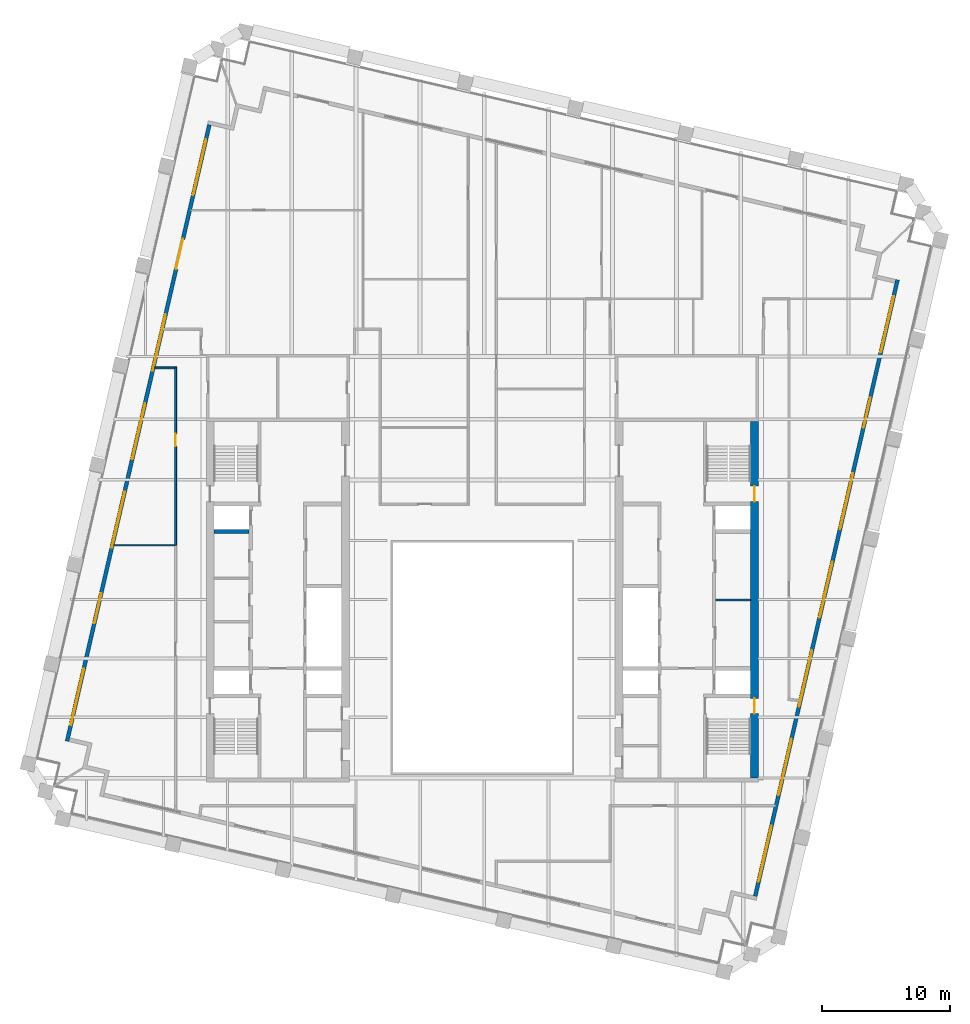
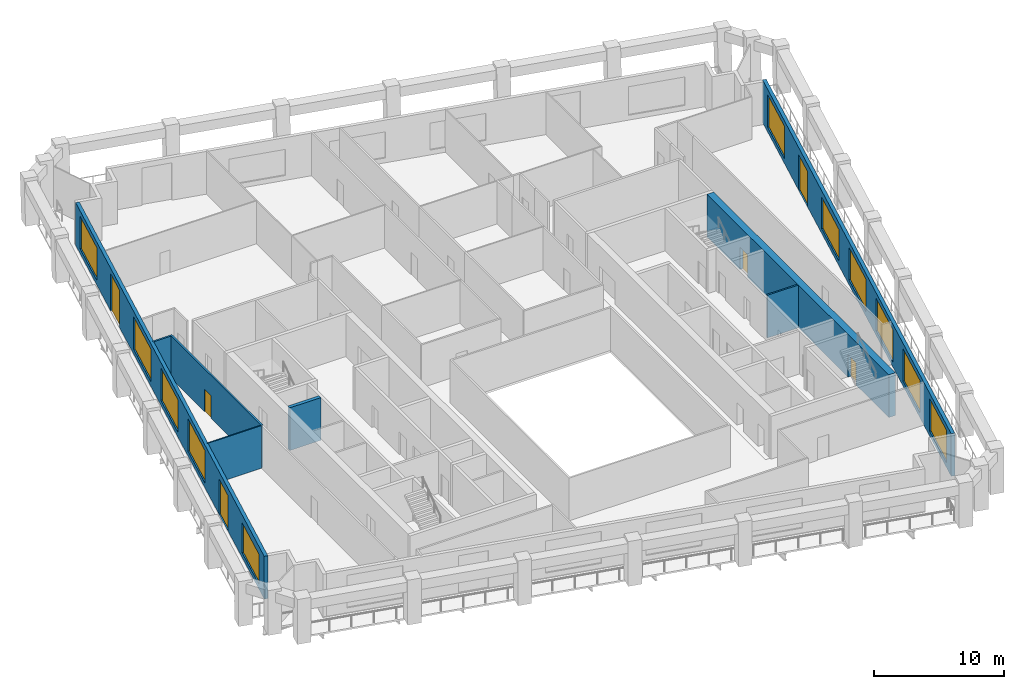
# One storey, part 6 of 10: 11 windows, 8 walls, 6 doors, 17 openings.
"""IFC4 building model written with IfcOpenShell, lengths in metres."""

from ifc_helpers import new_model, si_unit, direction, frame, frame_2d, origin, place, context, subcontext, project, spatial, rectangle, extrude, material, layer, layer_set, type_object, element, fill, save


model = new_model("IFC4")

# Units and contexts
model_context = context("Model", 3, precision=1e-05, world=origin(), true_north=direction((0.0, 1.0)))
body_context = subcontext(model_context, "Body", "Model", "MODEL_VIEW")
ifc_project = project(units=[si_unit("LENGTHUNIT", "METRE"), si_unit("AREAUNIT", "SQUARE_METRE"), si_unit("VOLUMEUNIT", "CUBIC_METRE"), si_unit("PLANEANGLEUNIT", "RADIAN"), si_unit("MASSUNIT", "GRAM", prefix="KILO")], contexts=[model_context])

# Site, building, storey
site_placement = place(None, origin())
site = spatial("IfcSite", under=ifc_project, at=site_placement, CompositionType="ELEMENT")
building_placement = place(site_placement, origin())
building = spatial("IfcBuilding", under=site, at=building_placement, Name="Ogive Exchange Tower", CompositionType="ELEMENT")
storey_placement = place(building_placement, frame((0.0, 0.0, 251.39990234375)))
storey = spatial("IfcBuildingStorey", under=building, at=storey_placement, Name="L54", CompositionType="ELEMENT", Elevation=251.39990234375)

# Wall
ifc_material_1 = material(Name="Gypsum board partition")
ifc_layer_1 = layer(ifc_material_1, 0.14990234375)
ifc_layer_set_1 = layer_set([ifc_layer_1], Name="Core room partition 150 gypsum")
wall_type_1 = type_object("IfcWallType", Name="Core room partition 150 gypsum", PredefinedType="PARTITIONING", material=ifc_layer_set_1)
wall_1_placement = place(storey_placement, frame((18.25, 11.5, 0.0), z_axis=(0.0, 0.0, 1.0), x_axis=(1.0, 0.0, 0.0)))
element("IfcWall", 1, at=wall_1_placement, inside=storey, type_object=wall_type_1, Name="E row A bay partition 1-1", PredefinedType="PARTITIONING", context=body_context, shape_type="SweptSolid", body=[
    extrude(rectangle(XDim=2.75, YDim=0.14990234375, at=frame_2d((1.375, 0.0))), origin(), (0.0, 0.0, 1.0), 4.0),
])

# Wall, opening, door
ifc_material_2 = material(Name="Fire partition EI 60 150")
ifc_layer_2 = layer(ifc_material_2, 0.14990234375)
ifc_layer_set_2 = layer_set([ifc_layer_2], Name="Fire partition EI 60 150")
wall_type_2 = type_object("IfcWallType", Name="Fire partition EI 60 150", PredefinedType="PARTITIONING", material=ifc_layer_set_2)
wall_2_placement = place(storey_placement, frame((-24.0, 15.7900390625, 0.0), z_axis=(0.0, 0.0, 1.0), x_axis=(0.0, 1.0, 0.0)))
wall_2 = element("IfcWall", 2, at=wall_2_placement, inside=storey, type_object=wall_type_2, Name="L54-PWL-004", PredefinedType="PARTITIONING", context=body_context, shape_type="SweptSolid", body=[
    extrude(rectangle(XDim=13.945068359375, YDim=0.14990234375, at=frame_2d((6.97265625, 0.0))), origin(), (0.0, 0.0, 1.0), 4.0),
])
opening_1_placement = place(wall_2_placement, frame((7.719970703125, 0.0, 0.0)))
opening_1 = element("IfcOpeningElement", 3, at=opening_1_placement, cuts=wall_2, Name="Opening L54-I04", PredefinedType="OPENING", context=body_context, shape_type="SweptSolid", body=[
    extrude(rectangle(XDim=1.0, YDim=2.10009765625, at=frame_2d((0.5, 1.050048828125))), frame((0.0, 0.0849609375, 0.0), z_axis=(0.0, -1.0, 0.0), x_axis=(1.0, 0.0, 0.0)), (0.0, 0.0, 1.0), 0.169921875),
])
ifc_material_3 = material(Name="Fire door FD 30S 1000 x 2100")
door_type_1 = type_object("IfcDoorType", Name="Fire door FD 30S 1000 x 2100", OperationType="NOTDEFINED", PredefinedType="DOOR", material=ifc_material_3)
door_1_placement = place(opening_1_placement, origin())
door_1 = element("IfcDoor", 4, at=door_1_placement, inside=storey, type_object=door_type_1, Name="L54-IDR-004", ObjectType="DT3", OperationType="SINGLE_SWING_LEFT", OverallHeight=2.10009765625, OverallWidth=1.0, PredefinedType="DOOR", context=body_context, shape_type="SweptSolid", body=[
    extrude(rectangle(XDim=1.0, YDim=2.10009765625, at=frame_2d((0.5, 1.050048828125))), frame((0.0, 0.02490234375, 0.0), z_axis=(0.0, -1.0, 0.0), x_axis=(1.0, 0.0, 0.0)), (0.0, 0.0, 1.0), 0.050048828125),
])
fill(opening_1, door_1)

# Wall
wall_3_placement = place(storey_placement, frame((-24.074951171875, 29.659912109375, 0.0), z_axis=(0.0, 0.0, 1.0), x_axis=(-1.0, 0.0, 0.0)))
element("IfcWall", 5, at=wall_3_placement, inside=storey, type_object=wall_type_2, Name="L54-PWL-005", PredefinedType="PARTITIONING", context=body_context, shape_type="SweptSolid", body=[
    extrude(rectangle(XDim=1.60302734375, YDim=0.14990234375, at=frame_2d((0.801513671875, 0.0))), origin(), (0.0, 0.0, 1.0), 4.0),
])

# Wall, openings, door, windows
ifc_material_4 = material(Name="Precast concrete C40/50", Category="concrete")
ifc_layer_3 = layer(ifc_material_4, 0.300048828125)
ifc_layer_set_3 = layer_set([ifc_layer_3], Name="Limestone-faced wall 300")
wall_type_3 = type_object("IfcWallType", Name="Limestone-faced wall 300", PredefinedType="STANDARD", material=ifc_layer_set_3)
wall_4_placement = place(storey_placement, frame((21.35888671875, -11.67822265625, 0.0), z_axis=(0.0, 0.0, 1.0), x_axis=(0.224949198343, 0.974370493275, 0.0)))
wall_4 = element("IfcWall", 6, at=wall_4_placement, inside=storey, type_object=wall_type_3, Name="External wall E2", PredefinedType="STANDARD", context=body_context, shape_type="SweptSolid", body=[
    extrude(rectangle(XDim=49.5, YDim=0.300048828125, at=frame_2d((24.75, 0.0))), origin(), (0.0, 0.0, 1.0), 4.0),
])
opening_2_placement = place(wall_4_placement, frame((1.156982421875, 0.0, 0.449951171875)))
opening_2 = element("IfcOpeningElement", 7, at=opening_2_placement, cuts=wall_4, Name="Opening W1", PredefinedType="OPENING", context=body_context, shape_type="SweptSolid", body=[
    extrude(rectangle(XDim=4.5, YDim=3.050048828125, at=frame_2d((2.25, 1.52490234375))), frame((0.0, 0.159912109375, 0.0), z_axis=(0.0, -1.0, 0.0), x_axis=(1.0, 0.0, 0.0)), (0.0, 0.0, 1.0), 0.320068359375),
])
opening_3_placement = place(wall_4_placement, frame((8.121337890625, 0.0, 0.449951171875)))
opening_3 = element("IfcOpeningElement", 8, at=opening_3_placement, cuts=wall_4, Name="Opening W1", PredefinedType="OPENING", context=body_context, shape_type="SweptSolid", body=[
    extrude(rectangle(XDim=4.5, YDim=3.050048828125, at=frame_2d((2.25, 1.52490234375))), frame((0.0, 0.159912109375, 0.0), z_axis=(0.0, -1.0, 0.0), x_axis=(1.0, 0.0, 0.0)), (0.0, 0.0, 1.0), 0.320068359375),
])
opening_4_placement = place(wall_4_placement, frame((15.235595703125, 0.0, 0.449951171875)))
opening_4 = element("IfcOpeningElement", 9, at=opening_4_placement, cuts=wall_4, Name="Opening W1", PredefinedType="OPENING", context=body_context, shape_type="SweptSolid", body=[
    extrude(rectangle(XDim=4.5, YDim=3.050048828125, at=frame_2d((2.25, 1.52490234375))), frame((0.0, 0.159912109375, 0.0), z_axis=(0.0, -1.0, 0.0), x_axis=(1.0, 0.0, 0.0)), (0.0, 0.0, 1.0), 0.320068359375),
])
opening_5_placement = place(wall_4_placement, frame((22.35009765625, 0.0, 0.449951171875)))
opening_5 = element("IfcOpeningElement", 10, at=opening_5_placement, cuts=wall_4, Name="Opening W1", PredefinedType="OPENING", context=body_context, shape_type="SweptSolid", body=[
    extrude(rectangle(XDim=4.5, YDim=3.050048828125, at=frame_2d((2.25, 1.52490234375))), frame((0.0, 0.159912109375, 0.0), z_axis=(0.0, -1.0, 0.0), x_axis=(1.0, 0.0, 0.0)), (0.0, 0.0, 1.0), 0.320068359375),
])
opening_6_placement = place(wall_4_placement, frame((29.464111328125, 0.0, 0.449951171875)))
opening_6 = element("IfcOpeningElement", 11, at=opening_6_placement, cuts=wall_4, Name="Opening W1B", PredefinedType="OPENING", context=body_context, shape_type="SweptSolid", body=[
    extrude(rectangle(XDim=4.5, YDim=2.949951171875, at=frame_2d((2.25, 1.47509765625))), frame((0.0, 0.159912109375, 0.0), z_axis=(0.0, -1.0, 0.0), x_axis=(1.0, 0.0, 0.0)), (0.0, 0.0, 1.0), 0.320068359375),
])
opening_7_placement = place(wall_4_placement, frame((37.62841796875, 0.0, 0.0)))
opening_7 = element("IfcOpeningElement", 12, at=opening_7_placement, cuts=wall_4, Name="Opening D1C", PredefinedType="OPENING", context=body_context, shape_type="SweptSolid", body=[
    extrude(rectangle(XDim=2.39990234375, YDim=3.324951171875, at=frame_2d((1.199951171875, 1.66259765625))), frame((0.0, 0.159912109375, 0.0), z_axis=(0.0, -1.0, 0.0), x_axis=(1.0, 0.0, 0.0)), (0.0, 0.0, 1.0), 0.320068359375),
])
opening_8_placement = place(wall_4_placement, frame((43.69287109375, 0.0, 0.449951171875)))
opening_8 = element("IfcOpeningElement", 13, at=opening_8_placement, cuts=wall_4, Name="Opening W1", PredefinedType="OPENING", context=body_context, shape_type="SweptSolid", body=[
    extrude(rectangle(XDim=4.5, YDim=3.050048828125, at=frame_2d((2.25, 1.52490234375))), frame((0.0, 0.159912109375, 0.0), z_axis=(0.0, -1.0, 0.0), x_axis=(1.0, 0.0, 0.0)), (0.0, 0.0, 1.0), 0.320068359375),
])
ifc_material_5 = material(Name="Clear glass in bronze frame", Category="glass")
door_type_2 = type_object("IfcDoorType", Name="Sliding loggia door 2400 x 3325", OperationType="DOUBLE_DOOR_SLIDING", PredefinedType="DOOR", material=ifc_material_5)
door_2_placement = place(opening_7_placement, origin())
door_2 = element("IfcDoor", 14, at=door_2_placement, inside=storey, type_object=door_type_2, Name="Loggia door E05", OperationType="DOUBLE_DOOR_SLIDING", OverallHeight=3.324951171875, OverallWidth=2.39990234375, PredefinedType="DOOR", context=body_context, shape_type="SweptSolid", body=[
    extrude(rectangle(XDim=2.39990234375, YDim=3.324951171875, at=frame_2d((1.199951171875, 1.66259765625))), frame((0.0, 0.02490234375, 0.0), z_axis=(0.0, -1.0, 0.0), x_axis=(1.0, 0.0, 0.0)), (0.0, 0.0, 1.0), 0.050048828125),
])
fill(opening_7, door_2)
window_type_1 = type_object("IfcWindowType", Name="Twin lancet window 4500 x 2950", PartitioningType="DOUBLE_PANEL_VERTICAL", PredefinedType="WINDOW", material=ifc_material_5)
window_1_placement = place(opening_6_placement, origin())
window_1 = element("IfcWindow", 15, at=window_1_placement, inside=storey, type_object=window_type_1, Name="Window E04", OverallHeight=2.949951171875, OverallWidth=4.5, PartitioningType="DOUBLE_PANEL_VERTICAL", PredefinedType="WINDOW", context=body_context, shape_type="SweptSolid", body=[
    extrude(rectangle(XDim=4.5, YDim=2.949951171875, at=frame_2d((2.25, 1.47509765625))), frame((0.0, 0.030029296875, 0.0), z_axis=(0.0, -1.0, 0.0), x_axis=(1.0, 0.0, 0.0)), (0.0, 0.0, 1.0), 0.06005859375),
])
fill(opening_6, window_1)
window_type_2 = type_object("IfcWindowType", Name="Twin lancet window 4500 x 3050", PartitioningType="DOUBLE_PANEL_VERTICAL", PredefinedType="WINDOW", material=ifc_material_5)
window_2_placement = place(opening_2_placement, origin())
window_2 = element("IfcWindow", 16, at=window_2_placement, inside=storey, type_object=window_type_2, Name="Window E00", OverallHeight=3.050048828125, OverallWidth=4.5, PartitioningType="DOUBLE_PANEL_VERTICAL", PredefinedType="WINDOW", context=body_context, shape_type="SweptSolid", body=[
    extrude(rectangle(XDim=4.5, YDim=3.050048828125, at=frame_2d((2.25, 1.52490234375))), frame((0.0, 0.030029296875, 0.0), z_axis=(0.0, -1.0, 0.0), x_axis=(1.0, 0.0, 0.0)), (0.0, 0.0, 1.0), 0.06005859375),
])
fill(opening_2, window_2)
window_3_placement = place(opening_3_placement, origin())
window_3 = element("IfcWindow", 17, at=window_3_placement, inside=storey, type_object=window_type_2, Name="Window E01", OverallHeight=3.050048828125, OverallWidth=4.5, PartitioningType="DOUBLE_PANEL_VERTICAL", PredefinedType="WINDOW", context=body_context, shape_type="SweptSolid", body=[
    extrude(rectangle(XDim=4.5, YDim=3.050048828125, at=frame_2d((2.25, 1.52490234375))), frame((0.0, 0.030029296875, 0.0), z_axis=(0.0, -1.0, 0.0), x_axis=(1.0, 0.0, 0.0)), (0.0, 0.0, 1.0), 0.06005859375),
])
fill(opening_3, window_3)
window_4_placement = place(opening_4_placement, origin())
window_4 = element("IfcWindow", 18, at=window_4_placement, inside=storey, type_object=window_type_2, Name="Window E02", OverallHeight=3.050048828125, OverallWidth=4.5, PartitioningType="DOUBLE_PANEL_VERTICAL", PredefinedType="WINDOW", context=body_context, shape_type="SweptSolid", body=[
    extrude(rectangle(XDim=4.5, YDim=3.050048828125, at=frame_2d((2.25, 1.52490234375))), frame((0.0, 0.030029296875, 0.0), z_axis=(0.0, -1.0, 0.0), x_axis=(1.0, 0.0, 0.0)), (0.0, 0.0, 1.0), 0.06005859375),
])
fill(opening_4, window_4)
window_5_placement = place(opening_5_placement, origin())
window_5 = element("IfcWindow", 19, at=window_5_placement, inside=storey, type_object=window_type_2, Name="Window E03", OverallHeight=3.050048828125, OverallWidth=4.5, PartitioningType="DOUBLE_PANEL_VERTICAL", PredefinedType="WINDOW", context=body_context, shape_type="SweptSolid", body=[
    extrude(rectangle(XDim=4.5, YDim=3.050048828125, at=frame_2d((2.25, 1.52490234375))), frame((0.0, 0.030029296875, 0.0), z_axis=(0.0, -1.0, 0.0), x_axis=(1.0, 0.0, 0.0)), (0.0, 0.0, 1.0), 0.06005859375),
])
fill(opening_5, window_5)
window_6_placement = place(opening_8_placement, origin())
window_6 = element("IfcWindow", 20, at=window_6_placement, inside=storey, type_object=window_type_2, Name="Window E06", OverallHeight=3.050048828125, OverallWidth=4.5, PartitioningType="DOUBLE_PANEL_VERTICAL", PredefinedType="WINDOW", context=body_context, shape_type="SweptSolid", body=[
    extrude(rectangle(XDim=4.5, YDim=3.050048828125, at=frame_2d((2.25, 1.52490234375))), frame((0.0, 0.030029296875, 0.0), z_axis=(0.0, -1.0, 0.0), x_axis=(1.0, 0.0, 0.0)), (0.0, 0.0, 1.0), 0.06005859375),
])
fill(opening_8, window_6)

# Wall, openings, doors, windows
wall_5_placement = place(storey_placement, frame((-21.35888671875, 48.67822265625, 0.0), z_axis=(0.0, 0.0, 1.0), x_axis=(-0.224949198343, -0.974370493275, 0.0)))
wall_5 = element("IfcWall", 21, at=wall_5_placement, inside=storey, type_object=wall_type_3, Name="External wall W4", PredefinedType="STANDARD", context=body_context, shape_type="SweptSolid", body=[
    extrude(rectangle(XDim=49.5, YDim=0.300048828125, at=frame_2d((24.75, 0.0))), origin(), (0.0, 0.0, 1.0), 4.0),
])
opening_9_placement = place(wall_5_placement, frame((1.156982421875, 0.0, 0.449951171875)))
opening_9 = element("IfcOpeningElement", 22, at=opening_9_placement, cuts=wall_5, Name="Opening W1", PredefinedType="OPENING", context=body_context, shape_type="SweptSolid", body=[
    extrude(rectangle(XDim=4.5, YDim=3.050048828125, at=frame_2d((2.25, 1.52490234375))), frame((0.0, 0.159912109375, 0.0), z_axis=(0.0, -1.0, 0.0), x_axis=(1.0, 0.0, 0.0)), (0.0, 0.0, 1.0), 0.320068359375),
])
opening_10_placement = place(wall_5_placement, frame((9.17138671875, 0.0, 0.0)))
opening_10 = element("IfcOpeningElement", 23, at=opening_10_placement, cuts=wall_5, Name="Opening D1", PredefinedType="OPENING", context=body_context, shape_type="SweptSolid", body=[
    extrude(rectangle(XDim=2.39990234375, YDim=3.5, at=frame_2d((1.199951171875, 1.75))), frame((0.0, 0.159912109375, 0.0), z_axis=(0.0, -1.0, 0.0), x_axis=(1.0, 0.0, 0.0)), (0.0, 0.0, 1.0), 0.320068359375),
])
opening_11_placement = place(wall_5_placement, frame((15.235595703125, 0.0, 0.449951171875)))
opening_11 = element("IfcOpeningElement", 24, at=opening_11_placement, cuts=wall_5, Name="Opening W1", PredefinedType="OPENING", context=body_context, shape_type="SweptSolid", body=[
    extrude(rectangle(XDim=4.5, YDim=3.050048828125, at=frame_2d((2.25, 1.52490234375))), frame((0.0, 0.159912109375, 0.0), z_axis=(0.0, -1.0, 0.0), x_axis=(1.0, 0.0, 0.0)), (0.0, 0.0, 1.0), 0.320068359375),
])
opening_12_placement = place(wall_5_placement, frame((22.35009765625, 0.0, 0.449951171875)))
opening_12 = element("IfcOpeningElement", 25, at=opening_12_placement, cuts=wall_5, Name="Opening W1", PredefinedType="OPENING", context=body_context, shape_type="SweptSolid", body=[
    extrude(rectangle(XDim=4.5, YDim=3.050048828125, at=frame_2d((2.25, 1.52490234375))), frame((0.0, 0.159912109375, 0.0), z_axis=(0.0, -1.0, 0.0), x_axis=(1.0, 0.0, 0.0)), (0.0, 0.0, 1.0), 0.320068359375),
])
opening_13_placement = place(wall_5_placement, frame((29.464111328125, 0.0, 0.449951171875)))
opening_13 = element("IfcOpeningElement", 26, at=opening_13_placement, cuts=wall_5, Name="Opening W1", PredefinedType="OPENING", context=body_context, shape_type="SweptSolid", body=[
    extrude(rectangle(XDim=4.5, YDim=3.050048828125, at=frame_2d((2.25, 1.52490234375))), frame((0.0, 0.159912109375, 0.0), z_axis=(0.0, -1.0, 0.0), x_axis=(1.0, 0.0, 0.0)), (0.0, 0.0, 1.0), 0.320068359375),
])
opening_14_placement = place(wall_5_placement, frame((37.62841796875, 0.0, 0.0)))
opening_14 = element("IfcOpeningElement", 27, at=opening_14_placement, cuts=wall_5, Name="Opening D1C", PredefinedType="OPENING", context=body_context, shape_type="SweptSolid", body=[
    extrude(rectangle(XDim=2.39990234375, YDim=3.324951171875, at=frame_2d((1.199951171875, 1.66259765625))), frame((0.0, 0.159912109375, 0.0), z_axis=(0.0, -1.0, 0.0), x_axis=(1.0, 0.0, 0.0)), (0.0, 0.0, 1.0), 0.320068359375),
])
opening_15_placement = place(wall_5_placement, frame((43.69287109375, 0.0, 0.449951171875)))
opening_15 = element("IfcOpeningElement", 28, at=opening_15_placement, cuts=wall_5, Name="Opening W1E", PredefinedType="OPENING", context=body_context, shape_type="SweptSolid", body=[
    extrude(rectangle(XDim=4.5, YDim=2.824951171875, at=frame_2d((2.25, 1.41259765625))), frame((0.0, 0.159912109375, 0.0), z_axis=(0.0, -1.0, 0.0), x_axis=(1.0, 0.0, 0.0)), (0.0, 0.0, 1.0), 0.320068359375),
])
door_3_placement = place(opening_14_placement, origin())
door_3 = element("IfcDoor", 29, at=door_3_placement, inside=storey, type_object=door_type_2, Name="Loggia door W05", OperationType="DOUBLE_DOOR_SLIDING", OverallHeight=3.324951171875, OverallWidth=2.39990234375, PredefinedType="DOOR", context=body_context, shape_type="SweptSolid", body=[
    extrude(rectangle(XDim=2.39990234375, YDim=3.324951171875, at=frame_2d((1.199951171875, 1.66259765625))), frame((0.0, 0.02490234375, 0.0), z_axis=(0.0, -1.0, 0.0), x_axis=(1.0, 0.0, 0.0)), (0.0, 0.0, 1.0), 0.050048828125),
])
fill(opening_14, door_3)
door_type_3 = type_object("IfcDoorType", Name="Sliding loggia door 2400 x 3500", OperationType="DOUBLE_DOOR_SLIDING", PredefinedType="DOOR", material=ifc_material_5)
door_4_placement = place(opening_10_placement, origin())
door_4 = element("IfcDoor", 30, at=door_4_placement, inside=storey, type_object=door_type_3, Name="Loggia door W01", OperationType="DOUBLE_DOOR_SLIDING", OverallHeight=3.5, OverallWidth=2.39990234375, PredefinedType="DOOR", context=body_context, shape_type="SweptSolid", body=[
    extrude(rectangle(XDim=2.39990234375, YDim=3.5, at=frame_2d((1.199951171875, 1.75))), frame((0.0, 0.02490234375, 0.0), z_axis=(0.0, -1.0, 0.0), x_axis=(1.0, 0.0, 0.0)), (0.0, 0.0, 1.0), 0.050048828125),
])
fill(opening_10, door_4)
window_type_3 = type_object("IfcWindowType", Name="Twin lancet window 4500 x 2825", PartitioningType="DOUBLE_PANEL_VERTICAL", PredefinedType="WINDOW", material=ifc_material_5)
window_7_placement = place(opening_15_placement, origin())
window_7 = element("IfcWindow", 31, at=window_7_placement, inside=storey, type_object=window_type_3, Name="Window W06", OverallHeight=2.824951171875, OverallWidth=4.5, PartitioningType="DOUBLE_PANEL_VERTICAL", PredefinedType="WINDOW", context=body_context, shape_type="SweptSolid", body=[
    extrude(rectangle(XDim=4.5, YDim=2.824951171875, at=frame_2d((2.25, 1.41259765625))), frame((0.0, 0.030029296875, 0.0), z_axis=(0.0, -1.0, 0.0), x_axis=(1.0, 0.0, 0.0)), (0.0, 0.0, 1.0), 0.06005859375),
])
fill(opening_15, window_7)
window_8_placement = place(opening_9_placement, origin())
window_8 = element("IfcWindow", 32, at=window_8_placement, inside=storey, type_object=window_type_2, Name="Window W00", OverallHeight=3.050048828125, OverallWidth=4.5, PartitioningType="DOUBLE_PANEL_VERTICAL", PredefinedType="WINDOW", context=body_context, shape_type="SweptSolid", body=[
    extrude(rectangle(XDim=4.5, YDim=3.050048828125, at=frame_2d((2.25, 1.52490234375))), frame((0.0, 0.030029296875, 0.0), z_axis=(0.0, -1.0, 0.0), x_axis=(1.0, 0.0, 0.0)), (0.0, 0.0, 1.0), 0.06005859375),
])
fill(opening_9, window_8)
window_9_placement = place(opening_11_placement, origin())
window_9 = element("IfcWindow", 33, at=window_9_placement, inside=storey, type_object=window_type_2, Name="Window W02", OverallHeight=3.050048828125, OverallWidth=4.5, PartitioningType="DOUBLE_PANEL_VERTICAL", PredefinedType="WINDOW", context=body_context, shape_type="SweptSolid", body=[
    extrude(rectangle(XDim=4.5, YDim=3.050048828125, at=frame_2d((2.25, 1.52490234375))), frame((0.0, 0.030029296875, 0.0), z_axis=(0.0, -1.0, 0.0), x_axis=(1.0, 0.0, 0.0)), (0.0, 0.0, 1.0), 0.06005859375),
])
fill(opening_11, window_9)
window_10_placement = place(opening_12_placement, origin())
window_10 = element("IfcWindow", 34, at=window_10_placement, inside=storey, type_object=window_type_2, Name="Window W03", OverallHeight=3.050048828125, OverallWidth=4.5, PartitioningType="DOUBLE_PANEL_VERTICAL", PredefinedType="WINDOW", context=body_context, shape_type="SweptSolid", body=[
    extrude(rectangle(XDim=4.5, YDim=3.050048828125, at=frame_2d((2.25, 1.52490234375))), frame((0.0, 0.030029296875, 0.0), z_axis=(0.0, -1.0, 0.0), x_axis=(1.0, 0.0, 0.0)), (0.0, 0.0, 1.0), 0.06005859375),
])
fill(opening_12, window_10)
window_11_placement = place(opening_13_placement, origin())
window_11 = element("IfcWindow", 35, at=window_11_placement, inside=storey, type_object=window_type_2, Name="Window W04", OverallHeight=3.050048828125, OverallWidth=4.5, PartitioningType="DOUBLE_PANEL_VERTICAL", PredefinedType="WINDOW", context=body_context, shape_type="SweptSolid", body=[
    extrude(rectangle(XDim=4.5, YDim=3.050048828125, at=frame_2d((2.25, 1.52490234375))), frame((0.0, 0.030029296875, 0.0), z_axis=(0.0, -1.0, 0.0), x_axis=(1.0, 0.0, 0.0)), (0.0, 0.0, 1.0), 0.06005859375),
])
fill(opening_13, window_11)

# Walls
ifc_material_6 = material(Name="Partition 100 gypsum")
ifc_layer_4 = layer(ifc_material_6, 0.10009765625)
ifc_layer_set_4 = layer_set([ifc_layer_4], Name="Partition 100 gypsum")
wall_type_4 = type_object("IfcWallType", Name="Partition 100 gypsum", PredefinedType="PARTITIONING", material=ifc_layer_set_4)
wall_6_placement = place(storey_placement, frame((-24.074951171875, 15.7900390625, 0.0), z_axis=(0.0, 0.0, 1.0), x_axis=(-1.0, 0.0, 0.0)))
element("IfcWall", 36, at=wall_6_placement, inside=storey, type_object=wall_type_4, Name="L54-PWL-003", PredefinedType="PARTITIONING", context=body_context, shape_type="SweptSolid", body=[
    extrude(rectangle(XDim=4.804931640625, YDim=0.10009765625, at=frame_2d((2.40234375, 0.0))), origin(), (0.0, 0.0, 1.0), 4.0),
])
ifc_material_7 = material(Name="Concrete C70/85", Category="concrete")
ifc_layer_5 = layer(ifc_material_7, 0.300048828125)
ifc_layer_set_5 = layer_set([ifc_layer_5], Name="RC core wall 300 C70/85")
wall_type_5 = type_object("IfcWallType", Name="RC core wall 300 C70/85", PredefinedType="SHEAR", material=ifc_layer_set_5)
wall_7_placement = place(storey_placement, frame((-21.0, 16.857177734375, 0.0), z_axis=(0.0, 0.0, 1.0), x_axis=(1.0, 0.0, 0.0)))
element("IfcWall", 37, at=wall_7_placement, inside=storey, type_object=wall_type_5, Name="W row A divider 6", PredefinedType="SHEAR", context=body_context, shape_type="SweptSolid", body=[
    extrude(rectangle(XDim=2.75, YDim=0.300048828125, at=frame_2d((1.375, 0.0))), origin(), (0.0, 0.0, 1.0), 4.0),
])

# Wall, openings, doors
ifc_layer_6 = layer(ifc_material_7, 0.60009765625)
ifc_layer_set_6 = layer_set([ifc_layer_6], Name="RC core wall 600 C70/85")
wall_type_6 = type_object("IfcWallType", Name="RC core wall 600 C70/85", PredefinedType="SHEAR", material=ifc_layer_set_6)
wall_8_placement = place(storey_placement, frame((21.300048828125, -2.449951171875, 0.0), z_axis=(0.0, 0.0, 1.0), x_axis=(0.0, 1.0, 0.0)))
wall_8 = element("IfcWall", 38, at=wall_8_placement, inside=storey, type_object=wall_type_6, Name="E outer wall", PredefinedType="SHEAR", context=body_context, shape_type="SweptSolid", body=[
    extrude(rectangle(XDim=27.89990234375, YDim=0.60009765625, at=frame_2d((13.949951171875, 0.0))), origin(), (0.0, 0.0, 1.0), 4.0),
])
opening_16_placement = place(wall_8_placement, frame((5.050048828125, 0.0, 0.0)))
opening_16 = element("IfcOpeningElement", 39, at=opening_16_placement, cuts=wall_8, Name="Opening L54-C33", PredefinedType="OPENING", context=body_context, shape_type="SweptSolid", body=[
    extrude(rectangle(XDim=1.199951171875, YDim=2.10009765625, at=frame_2d((0.60009765625, 1.050048828125))), frame((0.0, 0.31005859375, 0.0), z_axis=(0.0, -1.0, 0.0), x_axis=(1.0, 0.0, 0.0)), (0.0, 0.0, 1.0), 0.6201171875),
])
opening_17_placement = place(wall_8_placement, frame((21.64990234375, 0.0, 0.0)))
opening_17 = element("IfcOpeningElement", 40, at=opening_17_placement, cuts=wall_8, Name="Opening L54-C35", PredefinedType="OPENING", context=body_context, shape_type="SweptSolid", body=[
    extrude(rectangle(XDim=1.199951171875, YDim=2.10009765625, at=frame_2d((0.60009765625, 1.050048828125))), frame((0.0, 0.31005859375, 0.0), z_axis=(0.0, -1.0, 0.0), x_axis=(1.0, 0.0, 0.0)), (0.0, 0.0, 1.0), 0.6201171875),
])
ifc_material_8 = material(Name="Steel fire door", Category="steel")
door_type_4 = type_object("IfcDoorType", Name="Stair door FD90 1200 x 2100", OperationType="NOTDEFINED", PredefinedType="DOOR", material=ifc_material_8)
door_5_placement = place(opening_16_placement, frame((1.199951171875, 0.0, 0.0), z_axis=(0.0, 0.0, 1.0), x_axis=(-1.0, 0.0, 0.0)))
door_5 = element("IfcDoor", 41, at=door_5_placement, inside=storey, type_object=door_type_4, Name="Stair door", ObjectType="CD5", OperationType="SINGLE_SWING_RIGHT", OverallHeight=2.10009765625, OverallWidth=1.199951171875, PredefinedType="DOOR", context=body_context, shape_type="SweptSolid", body=[
    extrude(rectangle(XDim=1.199951171875, YDim=2.10009765625, at=frame_2d((0.60009765625, 1.050048828125))), frame((0.0, 0.02490234375, 0.0), z_axis=(0.0, -1.0, 0.0), x_axis=(1.0, 0.0, 0.0)), (0.0, 0.0, 1.0), 0.050048828125),
])
fill(opening_16, door_5)
door_6_placement = place(opening_17_placement, frame((1.199951171875, 0.0, 0.0), z_axis=(0.0, 0.0, 1.0), x_axis=(-1.0, 0.0, 0.0)))
door_6 = element("IfcDoor", 42, at=door_6_placement, inside=storey, type_object=door_type_4, Name="Stair door", ObjectType="CD5", OperationType="SINGLE_SWING_LEFT", OverallHeight=2.10009765625, OverallWidth=1.199951171875, PredefinedType="DOOR", context=body_context, shape_type="SweptSolid", body=[
    extrude(rectangle(XDim=1.199951171875, YDim=2.10009765625, at=frame_2d((0.60009765625, 1.050048828125))), frame((0.0, 0.02490234375, 0.0), z_axis=(0.0, -1.0, 0.0), x_axis=(1.0, 0.0, 0.0)), (0.0, 0.0, 1.0), 0.050048828125),
])
fill(opening_17, door_6)

save(model, "model.ifc")
